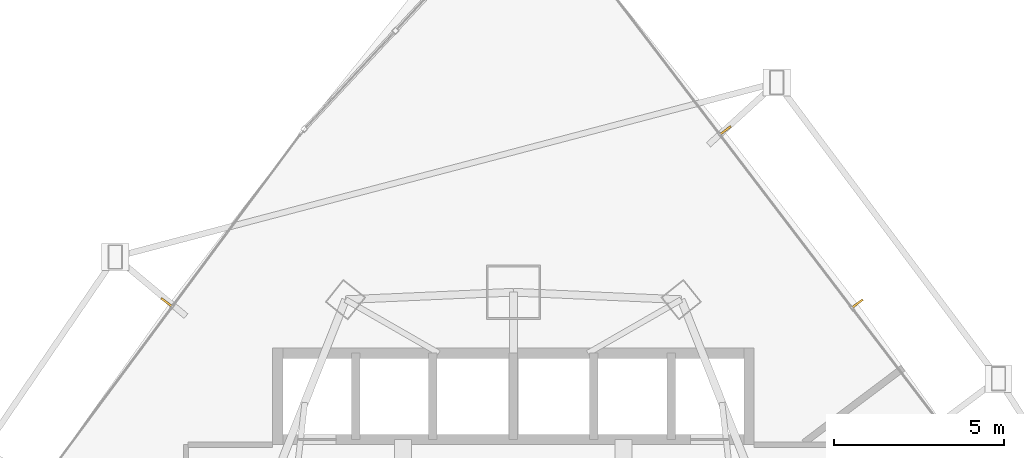
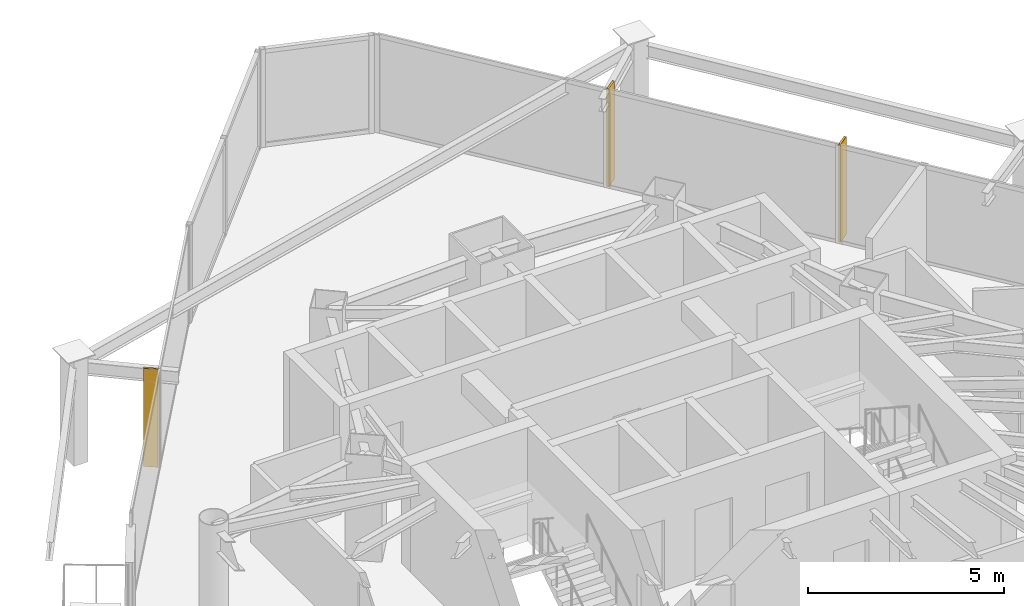
# One storey, part 38 of 38: 3 shading devices.
"""IFC4 building model written with IfcOpenShell, lengths in metres."""

from ifc_helpers import new_model, si_unit, direction, frame, origin, origin_2d, place, context, subcontext, project, spatial, rectangle, extrude, material, layer, layer_set, type_object, element, save


model = new_model("IFC4")

# Units and contexts
model_context = context("Model", 3, precision=1e-05, world=origin(), true_north=direction((0.0, 1.0)))
body_context = subcontext(model_context, "Body", "Model", "MODEL_VIEW")
ifc_project = project(units=[si_unit("LENGTHUNIT", "METRE"), si_unit("AREAUNIT", "SQUARE_METRE"), si_unit("VOLUMEUNIT", "CUBIC_METRE"), si_unit("PLANEANGLEUNIT", "RADIAN"), si_unit("MASSUNIT", "GRAM", prefix="KILO")], contexts=[model_context])

# Site, building, storey
site_placement = place(None, origin())
site = spatial("IfcSite", under=ifc_project, at=site_placement, CompositionType="ELEMENT")
building_placement = place(site_placement, origin())
building = spatial("IfcBuilding", under=site, at=building_placement, Name="Orvanel Arch Residences", CompositionType="ELEMENT")
storey_placement = place(building_placement, frame((0.0, 0.0, 50.0)))
storey = spatial("IfcBuildingStorey", under=building, at=storey_placement, Name="L13", CompositionType="ELEMENT", Elevation=50.0)

# Shading devices
ifc_material = material(Name="Bronze-anodised aluminium AA6063-T6", Category="aluminium")
ifc_layer = layer(ifc_material, 0.06005859375)
ifc_layer_set = layer_set([ifc_layer], Name="Bronze-anodised aluminium AA6063-T6")
shading_device_type = type_object("IfcShadingDeviceType", Name="FIN-BRZ-380", PredefinedType="USERDEFINED", material=ifc_layer_set)
for number, where, z_axis, x_axis, name in (
    (1, (22.764892578125, 41.10498046875, 0.0), (0.0, 0.0, 1.0), (-0.803856860617, 0.594822786751, 0.0), "L13 Anodised Bronze Mullion FIN 01"),
    (2, (43.155029296875, 41.068115234375, 0.0), (0.0, 0.0, 1.0), (0.795473480855, 0.605988400266, 0.0), "L13 Anodised Bronze Mullion FIN 01"),
    (3, (39.261962890625, 46.176025390625, 0.0), (0.0, 0.0, 1.0), (0.795473480855, 0.605988400266, 0.0), "L13 Anodised Bronze Mullion FIN 02"),
):
    element("IfcShadingDevice", number, at=place(storey_placement, frame(where, z_axis=z_axis, x_axis=x_axis)), inside=storey, type_object=shading_device_type, Name=name, ObjectType="FIN", PredefinedType="USERDEFINED", context=body_context, shape_type="SweptSolid", body=[
        extrude(rectangle(XDim=0.3798828125, YDim=0.06005859375, at=origin_2d()), origin(), (0.0, 0.0, 1.0), 3.06005859375),
    ])

save(model, "model.ifc")
